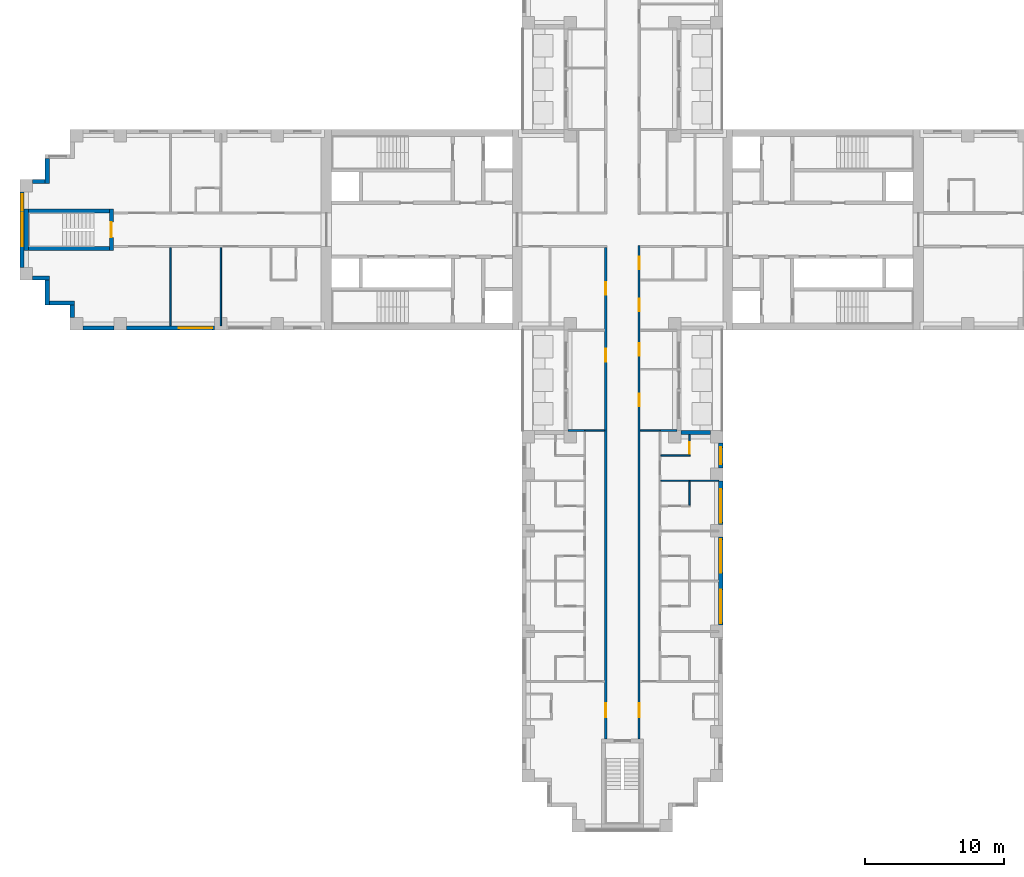
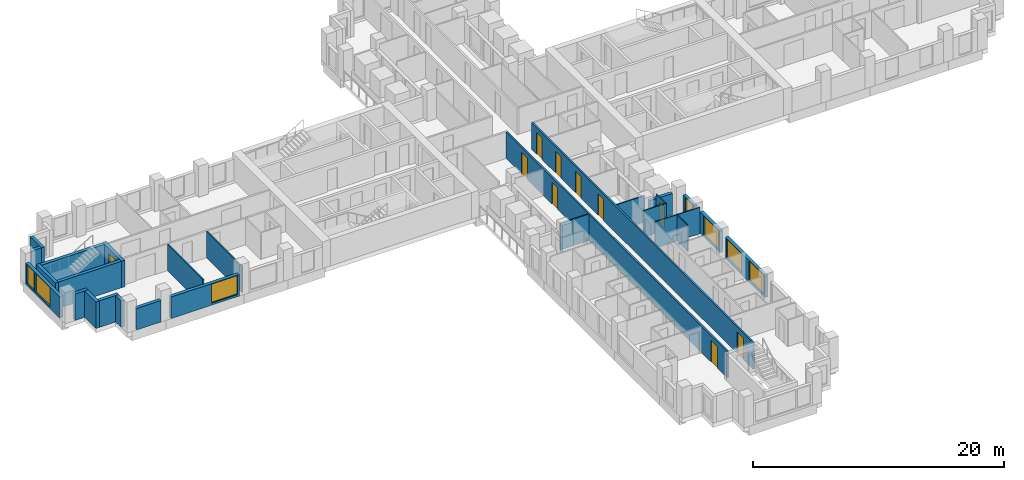
# One storey, part 5 of 14: 29 walls, 10 doors, 7 windows, 17 openings.
"""IFC4 building model written with IfcOpenShell, lengths in metres."""

from ifc_helpers import new_model, si_unit, direction, frame, frame_2d, origin, place, context, subcontext, project, spatial, rectangle, extrude, material, layer, layer_set, type_object, element, fill, save


model = new_model("IFC4")

# Units and contexts
model_context = context("Model", 3, precision=1e-05, world=origin(), true_north=direction((0.0, 1.0)))
body_context = subcontext(model_context, "Body", "Model", "MODEL_VIEW")
ifc_project = project(units=[si_unit("LENGTHUNIT", "METRE"), si_unit("AREAUNIT", "SQUARE_METRE"), si_unit("VOLUMEUNIT", "CUBIC_METRE"), si_unit("PLANEANGLEUNIT", "RADIAN"), si_unit("MASSUNIT", "GRAM", prefix="KILO")], contexts=[model_context])

# Site, building, storey
site_placement = place(None, origin())
site = spatial("IfcSite", under=ifc_project, at=site_placement, CompositionType="ELEMENT")
building_placement = place(site_placement, origin())
building = spatial("IfcBuilding", under=site, at=building_placement, Name="Fustian Cross Tower", CompositionType="ELEMENT")
storey_placement = place(building_placement, frame((0.0, 0.0, 99.89990234375)))
storey = spatial("IfcBuildingStorey", under=building, at=storey_placement, Name="L31", CompositionType="ELEMENT", Elevation=99.89990234375)

# Wall, openings, doors
ifc_material_1 = material(Name="Plasterboard on steel stud", Category="steel")
ifc_layer_1 = layer(ifc_material_1, 0.14990234375)
ifc_layer_set_1 = layer_set([ifc_layer_1], Name="Plasterboard on steel stud")
wall_type_1 = type_object("IfcWallType", Name="COMPARTMENT WALL 150 EI 60", PredefinedType="PARTITIONING", material=ifc_layer_set_1)
wall_1_placement = place(storey_placement, frame((-1.199951171875, -36.5, 0.0), z_axis=(0.0, 0.0, 1.0), x_axis=(0.0, 1.0, 0.0)))
wall_1 = element("IfcWall", 1, at=wall_1_placement, inside=storey, type_object=wall_type_1, Name="Partition 41", PredefinedType="PARTITIONING", context=body_context, shape_type="SweptSolid", body=[
    extrude(rectangle(XDim=35.22509765625, YDim=0.14990234375, at=frame_2d((17.612548828125, 0.0))), origin(), (0.0, 0.0, 1.0), 2.5751953125),
])
opening_1_placement = place(wall_1_placement, frame((31.85009765625, 0.0, 0.0)))
opening_1 = element("IfcOpeningElement", 2, at=opening_1_placement, cuts=wall_1, Name="Opening D14009", PredefinedType="OPENING", context=body_context, shape_type="SweptSolid", body=[
    extrude(rectangle(XDim=0.89990234375, YDim=2.10009765625, at=frame_2d((0.449951171875, 1.050048828125))), frame((0.0, 0.0849609375, 0.0), z_axis=(0.0, -1.0, 0.0), x_axis=(1.0, 0.0, 0.0)), (0.0, 0.0, 1.0), 0.169921875),
])
opening_2_placement = place(wall_1_placement, frame((27.050048828125, 0.0, 0.0)))
opening_2 = element("IfcOpeningElement", 3, at=opening_2_placement, cuts=wall_1, Name="Opening D14050", PredefinedType="OPENING", context=body_context, shape_type="SweptSolid", body=[
    extrude(rectangle(XDim=0.89990234375, YDim=2.10009765625, at=frame_2d((0.449951171875, 1.050048828125))), frame((0.0, 0.0849609375, 0.0), z_axis=(0.0, -1.0, 0.0), x_axis=(1.0, 0.0, 0.0)), (0.0, 0.0, 1.0), 0.169921875),
])
opening_3_placement = place(wall_1_placement, frame((1.550048828125, 0.0, 0.0)))
opening_3 = element("IfcOpeningElement", 4, at=opening_3_placement, cuts=wall_1, Name="Opening D14052", PredefinedType="OPENING", context=body_context, shape_type="SweptSolid", body=[
    extrude(rectangle(XDim=1.0, YDim=2.10009765625, at=frame_2d((0.5, 1.050048828125))), frame((0.0, 0.0849609375, 0.0), z_axis=(0.0, -1.0, 0.0), x_axis=(1.0, 0.0, 0.0)), (0.0, 0.0, 1.0), 0.169921875),
])
ifc_material_2 = material(Name="Timber fire door set", Category="wood")
door_type_1 = type_object("IfcDoorType", Name="FIRE SWING DOOR 1000 FD30S", OperationType="SINGLE_SWING_LEFT", PredefinedType="DOOR", material=ifc_material_2)
door_1_placement = place(opening_3_placement, origin())
door_1 = element("IfcDoor", 5, at=door_1_placement, inside=storey, type_object=door_type_1, Name="Door D14052", OperationType="SINGLE_SWING_RIGHT", OverallHeight=2.10009765625, OverallWidth=1.0, PredefinedType="DOOR", context=body_context, shape_type="SweptSolid", body=[
    extrude(rectangle(XDim=1.0, YDim=2.10009765625, at=frame_2d((0.5, 1.050048828125))), frame((0.0, 0.02490234375, 0.0), z_axis=(0.0, -1.0, 0.0), x_axis=(1.0, 0.0, 0.0)), (0.0, 0.0, 1.0), 0.050048828125),
])
fill(opening_3, door_1)
ifc_material_3 = material(Name="Timber fire door set", Category="wood")
door_type_2 = type_object("IfcDoorType", Name="FIRE SWING DOOR 900 FD30S", OperationType="SINGLE_SWING_LEFT", PredefinedType="DOOR", material=ifc_material_3)
door_2_placement = place(opening_1_placement, origin())
door_2 = element("IfcDoor", 6, at=door_2_placement, inside=storey, type_object=door_type_2, Name="Door D14009", OperationType="SINGLE_SWING_LEFT", OverallHeight=2.10009765625, OverallWidth=0.89990234375, PredefinedType="DOOR", context=body_context, shape_type="SweptSolid", body=[
    extrude(rectangle(XDim=0.89990234375, YDim=2.10009765625, at=frame_2d((0.449951171875, 1.050048828125))), frame((0.0, 0.02490234375, 0.0), z_axis=(0.0, -1.0, 0.0), x_axis=(1.0, 0.0, 0.0)), (0.0, 0.0, 1.0), 0.050048828125),
])
fill(opening_1, door_2)
door_3_placement = place(opening_2_placement, origin())
door_3 = element("IfcDoor", 7, at=door_3_placement, inside=storey, type_object=door_type_2, Name="Door D14050", OperationType="SINGLE_SWING_RIGHT", OverallHeight=2.10009765625, OverallWidth=0.89990234375, PredefinedType="DOOR", context=body_context, shape_type="SweptSolid", body=[
    extrude(rectangle(XDim=0.89990234375, YDim=2.10009765625, at=frame_2d((0.449951171875, 1.050048828125))), frame((0.0, 0.02490234375, 0.0), z_axis=(0.0, -1.0, 0.0), x_axis=(1.0, 0.0, 0.0)), (0.0, 0.0, 1.0), 0.050048828125),
])
fill(opening_2, door_3)

wall_2_placement = place(storey_placement, frame((1.199951171875, -36.5, 0.0), z_axis=(0.0, 0.0, 1.0), x_axis=(0.0, 1.0, 0.0)))
wall_2 = element("IfcWall", 8, at=wall_2_placement, inside=storey, type_object=wall_type_1, Name="Partition 43", PredefinedType="PARTITIONING", context=body_context, shape_type="SweptSolid", body=[
    extrude(rectangle(XDim=35.375, YDim=0.14990234375, at=frame_2d((17.6875, 0.0))), origin(), (0.0, 0.0, 1.0), 2.5751953125),
])
opening_4_placement = place(wall_2_placement, frame((33.64990234375, 0.0, 0.0)))
opening_4 = element("IfcOpeningElement", 9, at=opening_4_placement, cuts=wall_2, Name="Opening D14006", PredefinedType="OPENING", context=body_context, shape_type="SweptSolid", body=[
    extrude(rectangle(XDim=0.89990234375, YDim=2.10009765625, at=frame_2d((0.449951171875, 1.050048828125))), frame((0.0, 0.0849609375, 0.0), z_axis=(0.0, -1.0, 0.0), x_axis=(1.0, 0.0, 0.0)), (0.0, 0.0, 1.0), 0.169921875),
])
opening_5_placement = place(wall_2_placement, frame((30.64990234375, 0.0, 0.0)))
opening_5 = element("IfcOpeningElement", 10, at=opening_5_placement, cuts=wall_2, Name="Opening D14008", PredefinedType="OPENING", context=body_context, shape_type="SweptSolid", body=[
    extrude(rectangle(XDim=0.89990234375, YDim=2.10009765625, at=frame_2d((0.449951171875, 1.050048828125))), frame((0.0, 0.0849609375, 0.0), z_axis=(0.0, -1.0, 0.0), x_axis=(1.0, 0.0, 0.0)), (0.0, 0.0, 1.0), 0.169921875),
])
opening_6_placement = place(wall_2_placement, frame((27.449951171875, 0.0, 0.0)))
opening_6 = element("IfcOpeningElement", 11, at=opening_6_placement, cuts=wall_2, Name="Opening D14035", PredefinedType="OPENING", context=body_context, shape_type="SweptSolid", body=[
    extrude(rectangle(XDim=0.89990234375, YDim=2.10009765625, at=frame_2d((0.449951171875, 1.050048828125))), frame((0.0, 0.0849609375, 0.0), z_axis=(0.0, -1.0, 0.0), x_axis=(1.0, 0.0, 0.0)), (0.0, 0.0, 1.0), 0.169921875),
])
opening_7_placement = place(wall_2_placement, frame((23.85009765625, 0.0, 0.0)))
opening_7 = element("IfcOpeningElement", 12, at=opening_7_placement, cuts=wall_2, Name="Opening D14036", PredefinedType="OPENING", context=body_context, shape_type="SweptSolid", body=[
    extrude(rectangle(XDim=0.89990234375, YDim=2.10009765625, at=frame_2d((0.449951171875, 1.050048828125))), frame((0.0, 0.0849609375, 0.0), z_axis=(0.0, -1.0, 0.0), x_axis=(1.0, 0.0, 0.0)), (0.0, 0.0, 1.0), 0.169921875),
])
opening_8_placement = place(wall_2_placement, frame((1.550048828125, 0.0, 0.0)))
opening_8 = element("IfcOpeningElement", 13, at=opening_8_placement, cuts=wall_2, Name="Opening D14038", PredefinedType="OPENING", context=body_context, shape_type="SweptSolid", body=[
    extrude(rectangle(XDim=1.0, YDim=2.10009765625, at=frame_2d((0.5, 1.050048828125))), frame((0.0, 0.0849609375, 0.0), z_axis=(0.0, -1.0, 0.0), x_axis=(1.0, 0.0, 0.0)), (0.0, 0.0, 1.0), 0.169921875),
])
door_4_placement = place(opening_8_placement, frame((1.0, 0.0, 0.0), z_axis=(0.0, 0.0, 1.0), x_axis=(-1.0, 0.0, 0.0)))
door_4 = element("IfcDoor", 14, at=door_4_placement, inside=storey, type_object=door_type_1, Name="Door D14038", OperationType="SINGLE_SWING_LEFT", OverallHeight=2.10009765625, OverallWidth=1.0, PredefinedType="DOOR", context=body_context, shape_type="SweptSolid", body=[
    extrude(rectangle(XDim=1.0, YDim=2.10009765625, at=frame_2d((0.5, 1.050048828125))), frame((0.0, 0.02490234375, 0.0), z_axis=(0.0, -1.0, 0.0), x_axis=(1.0, 0.0, 0.0)), (0.0, 0.0, 1.0), 0.050048828125),
])
fill(opening_8, door_4)
door_5_placement = place(opening_4_placement, frame((0.89990234375, 0.0, 0.0), z_axis=(0.0, 0.0, 1.0), x_axis=(-1.0, 0.0, 0.0)))
door_5 = element("IfcDoor", 15, at=door_5_placement, inside=storey, type_object=door_type_2, Name="Door D14006", OperationType="SINGLE_SWING_RIGHT", OverallHeight=2.10009765625, OverallWidth=0.89990234375, PredefinedType="DOOR", context=body_context, shape_type="SweptSolid", body=[
    extrude(rectangle(XDim=0.89990234375, YDim=2.10009765625, at=frame_2d((0.449951171875, 1.050048828125))), frame((0.0, 0.02490234375, 0.0), z_axis=(0.0, -1.0, 0.0), x_axis=(1.0, 0.0, 0.0)), (0.0, 0.0, 1.0), 0.050048828125),
])
fill(opening_4, door_5)
door_6_placement = place(opening_5_placement, frame((0.89990234375, 0.0, 0.0), z_axis=(0.0, 0.0, 1.0), x_axis=(-1.0, 0.0, 0.0)))
door_6 = element("IfcDoor", 16, at=door_6_placement, inside=storey, type_object=door_type_2, Name="Door D14008", OperationType="SINGLE_SWING_RIGHT", OverallHeight=2.10009765625, OverallWidth=0.89990234375, PredefinedType="DOOR", context=body_context, shape_type="SweptSolid", body=[
    extrude(rectangle(XDim=0.89990234375, YDim=2.10009765625, at=frame_2d((0.449951171875, 1.050048828125))), frame((0.0, 0.02490234375, 0.0), z_axis=(0.0, -1.0, 0.0), x_axis=(1.0, 0.0, 0.0)), (0.0, 0.0, 1.0), 0.050048828125),
])
fill(opening_5, door_6)
door_7_placement = place(opening_6_placement, frame((0.89990234375, 0.0, 0.0), z_axis=(0.0, 0.0, 1.0), x_axis=(-1.0, 0.0, 0.0)))
door_7 = element("IfcDoor", 17, at=door_7_placement, inside=storey, type_object=door_type_2, Name="Door D14035", OperationType="SINGLE_SWING_RIGHT", OverallHeight=2.10009765625, OverallWidth=0.89990234375, PredefinedType="DOOR", context=body_context, shape_type="SweptSolid", body=[
    extrude(rectangle(XDim=0.89990234375, YDim=2.10009765625, at=frame_2d((0.449951171875, 1.050048828125))), frame((0.0, 0.02490234375, 0.0), z_axis=(0.0, -1.0, 0.0), x_axis=(1.0, 0.0, 0.0)), (0.0, 0.0, 1.0), 0.050048828125),
])
fill(opening_6, door_7)
door_8_placement = place(opening_7_placement, frame((0.89990234375, 0.0, 0.0), z_axis=(0.0, 0.0, 1.0), x_axis=(-1.0, 0.0, 0.0)))
door_8 = element("IfcDoor", 18, at=door_8_placement, inside=storey, type_object=door_type_2, Name="Door D14036", OperationType="SINGLE_SWING_RIGHT", OverallHeight=2.10009765625, OverallWidth=0.89990234375, PredefinedType="DOOR", context=body_context, shape_type="SweptSolid", body=[
    extrude(rectangle(XDim=0.89990234375, YDim=2.10009765625, at=frame_2d((0.449951171875, 1.050048828125))), frame((0.0, 0.02490234375, 0.0), z_axis=(0.0, -1.0, 0.0), x_axis=(1.0, 0.0, 0.0)), (0.0, 0.0, 1.0), 0.050048828125),
])
fill(opening_7, door_8)

# Walls
ifc_material_4 = material(Name="Plasterboard on steel stud", Category="steel")
ifc_layer_2 = layer(ifc_material_4, 0.10009765625)
ifc_layer_set_2 = layer_set([ifc_layer_2], Name="Plasterboard on steel stud")
wall_type_2 = type_object("IfcWallType", Name="PARTITION 100 STUD", PredefinedType="PARTITIONING", material=ifc_layer_set_2)
for number, where, z_axis, x_axis, name in (
    (19, (-32.39990234375, -6.89990234375, 0.0), (0.0, 0.0, 1.0), (0.0, 1.0, 0.0), "Partition 3"),
    (20, (-28.800048828125, -6.89990234375, 0.0), (0.0, 0.0, 1.0), (0.0, 1.0, 0.0), "Partition 7"),
):
    element("IfcWall", number, at=place(storey_placement, frame(where, z_axis=z_axis, x_axis=x_axis)), inside=storey, type_object=wall_type_2, Name=name, PredefinedType="PARTITIONING", context=body_context, shape_type="SweptSolid", body=[
        extrude(rectangle(XDim=5.625, YDim=0.10009765625, at=frame_2d((2.8125, 0.0))), origin(), (0.0, 0.0, 1.0), 2.5751953125),
    ])
for number, where, z_axis, x_axis, name in (
    (21, (-2.699951171875, -14.39990234375, 0.0), (0.0, 0.0, 1.0), (1.0, 0.0, 0.0), "Partition 40"),
    (22, (1.27490234375, -14.39990234375, 0.0), (0.0, 0.0, 1.0), (1.0, 0.0, 0.0), "Partition 45"),
):
    element("IfcWall", number, at=place(storey_placement, frame(where, z_axis=z_axis, x_axis=x_axis)), inside=storey, type_object=wall_type_2, Name=name, PredefinedType="PARTITIONING", context=body_context, shape_type="SweptSolid", body=[
        extrude(rectangle(XDim=1.425048828125, YDim=0.10009765625, at=frame_2d((0.71240234375, 0.0))), origin(), (0.0, 0.0, 1.0), 2.5751953125),
    ])
wall_3_placement = place(storey_placement, frame((2.75, -18.0, 0.0), z_axis=(0.0, 0.0, 1.0), x_axis=(1.0, 0.0, 0.0)))
element("IfcWall", 23, at=wall_3_placement, inside=storey, type_object=wall_type_2, Name="Partition 64", PredefinedType="PARTITIONING", context=body_context, shape_type="SweptSolid", body=[
    extrude(rectangle(XDim=4.14990234375, YDim=0.10009765625, at=frame_2d((2.074951171875, 0.0))), origin(), (0.0, 0.0, 1.0), 2.5751953125),
])
wall_4_placement = place(storey_placement, frame((2.75, -16.199951171875, 0.0), z_axis=(0.0, 0.0, 1.0), x_axis=(1.0, 0.0, 0.0)))
element("IfcWall", 24, at=wall_4_placement, inside=storey, type_object=wall_type_2, Name="Partition 65", PredefinedType="PARTITIONING", context=body_context, shape_type="SweptSolid", body=[
    extrude(rectangle(XDim=2.10009765625, YDim=0.10009765625, at=frame_2d((1.050048828125, 0.0))), origin(), (0.0, 0.0, 1.0), 2.5751953125),
])
wall_5_placement = place(storey_placement, frame((4.800048828125, -19.75, 0.0), z_axis=(0.0, 0.0, 1.0), x_axis=(0.0, 1.0, 0.0)))
element("IfcWall", 25, at=wall_5_placement, inside=storey, type_object=wall_type_2, Name="Partition 71", PredefinedType="PARTITIONING", context=body_context, shape_type="SweptSolid", body=[
    extrude(rectangle(XDim=1.699951171875, YDim=0.10009765625, at=frame_2d((0.85009765625, 0.0))), origin(), (0.0, 0.0, 1.0), 2.5751953125),
])

# Wall, opening, door
wall_6_placement = place(storey_placement, frame((4.800048828125, -16.14990234375, 0.0), z_axis=(0.0, 0.0, 1.0), x_axis=(0.0, 1.0, 0.0)))
wall_6 = element("IfcWall", 26, at=wall_6_placement, inside=storey, type_object=wall_type_2, Name="Partition 72", PredefinedType="PARTITIONING", context=body_context, shape_type="SweptSolid", body=[
    extrude(rectangle(XDim=1.449951171875, YDim=0.10009765625, at=frame_2d((0.72509765625, 0.0))), origin(), (0.0, 0.0, 1.0), 2.5751953125),
])
opening_9_placement = place(wall_6_placement, frame((0.10009765625, 0.0, 0.0)))
opening_9 = element("IfcOpeningElement", 27, at=opening_9_placement, cuts=wall_6, Name="Opening D14045", PredefinedType="OPENING", context=body_context, shape_type="SweptSolid", body=[
    extrude(rectangle(XDim=0.800048828125, YDim=2.10009765625, at=frame_2d((0.39990234375, 1.050048828125))), frame((0.0, 0.06005859375, 0.0), z_axis=(0.0, -1.0, 0.0), x_axis=(1.0, 0.0, 0.0)), (0.0, 0.0, 1.0), 0.1201171875),
])
ifc_material_5 = material(Name="Painted timber", Category="wood")
door_type_3 = type_object("IfcDoorType", Name="SWING DOOR 800", OperationType="SINGLE_SWING_LEFT", PredefinedType="DOOR", material=ifc_material_5)
door_9_placement = place(opening_9_placement, frame((0.800048828125, 0.0, 0.0), z_axis=(0.0, 0.0, 1.0), x_axis=(-1.0, 0.0, 0.0)))
door_9 = element("IfcDoor", 28, at=door_9_placement, inside=storey, type_object=door_type_3, Name="Door D14045", OperationType="SINGLE_SWING_LEFT", OverallHeight=2.10009765625, OverallWidth=0.800048828125, PredefinedType="DOOR", context=body_context, shape_type="SweptSolid", body=[
    extrude(rectangle(XDim=0.800048828125, YDim=2.10009765625, at=frame_2d((0.39990234375, 1.050048828125))), frame((0.0, 0.02490234375, 0.0), z_axis=(0.0, -1.0, 0.0), x_axis=(1.0, 0.0, 0.0)), (0.0, 0.0, 1.0), 0.050048828125),
])
fill(opening_9, door_9)

ifc_material_6 = material(Name="Concrete C50/60", Category="concrete")
ifc_layer_3 = layer(ifc_material_6, 0.300048828125)
ifc_layer_set_3 = layer_set([ifc_layer_3], Name="Concrete C50/60")
wall_type_3 = type_object("IfcWallType", Name="STAIR ENCLOSURE WALL 300 C50/60", PredefinedType="SHEAR", material=ifc_layer_set_3)
wall_7_placement = place(storey_placement, frame((-36.64990234375, -1.5, 0.0), z_axis=(0.0, 0.0, 1.0), x_axis=(0.0, 1.0, 0.0)))
wall_7 = element("IfcWall", 29, at=wall_7_placement, inside=storey, type_object=wall_type_3, Name="Stair enclosure wall", PredefinedType="SHEAR", context=body_context, shape_type="SweptSolid", body=[
    extrude(rectangle(XDim=3.0, YDim=0.300048828125, at=frame_2d((1.5, 0.0))), origin(), (0.0, 0.0, 1.0), 2.5751953125),
])
opening_10_placement = place(wall_7_placement, frame((0.949951171875, 0.0, 0.0)))
opening_10 = element("IfcOpeningElement", 30, at=opening_10_placement, cuts=wall_7, Name="Opening CD-09-31", PredefinedType="OPENING", context=body_context, shape_type="SweptSolid", body=[
    extrude(rectangle(XDim=1.10009765625, YDim=2.10009765625, at=frame_2d((0.550048828125, 1.050048828125))), frame((0.0, 0.159912109375, 0.0), z_axis=(0.0, -1.0, 0.0), x_axis=(1.0, 0.0, 0.0)), (0.0, 0.0, 1.0), 0.320068359375),
])
ifc_material_7 = material(Name="Steel", Category="steel")
door_type_4 = type_object("IfcDoorType", Name="FIRE DOOR FD60S 1100X2100", OperationType="SINGLE_SWING_LEFT", PredefinedType="DOOR", material=ifc_material_7)
door_10_placement = place(opening_10_placement, origin())
door_10 = element("IfcDoor", 31, at=door_10_placement, inside=storey, type_object=door_type_4, Name="Core door CD-09-31", OperationType="SINGLE_SWING_LEFT", OverallHeight=2.10009765625, OverallWidth=1.10009765625, PredefinedType="DOOR", context=body_context, shape_type="SweptSolid", body=[
    extrude(rectangle(XDim=1.10009765625, YDim=2.10009765625, at=frame_2d((0.550048828125, 1.050048828125))), frame((0.0, 0.02490234375, 0.0), z_axis=(0.0, -1.0, 0.0), x_axis=(1.0, 0.0, 0.0)), (0.0, 0.0, 1.0), 0.050048828125),
])
fill(opening_10, door_10)

# Walls
wall_8_placement = place(storey_placement, frame((-42.75, -1.5, 0.0), z_axis=(0.0, 0.0, 1.0), x_axis=(0.0, 1.0, 0.0)))
element("IfcWall", 32, at=wall_8_placement, inside=storey, type_object=wall_type_3, Name="Stair enclosure wall", PredefinedType="SHEAR", context=body_context, shape_type="SweptSolid", body=[
    extrude(rectangle(XDim=3.0, YDim=0.300048828125, at=frame_2d((1.5, 0.0))), origin(), (0.0, 0.0, 1.0), 2.5751953125),
])
for number, where, z_axis, x_axis, name in (
    (33, (-36.800048828125, -1.35009765625, 0.0), (0.0, 0.0, 1.0), (-1.0, 0.0, 0.0), "Stair enclosure wall"),
    (34, (-36.800048828125, 1.35009765625, 0.0), (0.0, 0.0, 1.0), (-1.0, 0.0, 0.0), "Stair enclosure wall"),
):
    element("IfcWall", number, at=place(storey_placement, frame(where, z_axis=z_axis, x_axis=x_axis)), inside=storey, type_object=wall_type_3, Name=name, PredefinedType="SHEAR", context=body_context, shape_type="SweptSolid", body=[
        extrude(rectangle(XDim=5.800048828125, YDim=0.300048828125, at=frame_2d((2.89990234375, 0.0))), origin(), (0.0, 0.0, 1.0), 2.5751953125),
    ])
ifc_material_8 = material(Name="Plasterboard on steel stud", Category="steel")
ifc_layer_4 = layer(ifc_material_8, 0.125)
ifc_layer_set_4 = layer_set([ifc_layer_4], Name="Plasterboard on steel stud")
wall_type_4 = type_object("IfcWallType", Name="WET WALL 125 STUD", PredefinedType="PARTITIONING", material=ifc_layer_set_4)
for number, where, z_axis, x_axis, name in (
    (35, (-3.89990234375, -14.39990234375, 0.0), (0.0, 0.0, 1.0), (1.0, 0.0, 0.0), "Partition 33"),
    (36, (2.699951171875, -14.39990234375, 0.0), (0.0, 0.0, 1.0), (1.0, 0.0, 0.0), "Partition 66"),
):
    element("IfcWall", number, at=place(storey_placement, frame(where, z_axis=z_axis, x_axis=x_axis)), inside=storey, type_object=wall_type_4, Name=name, PredefinedType="PARTITIONING", context=body_context, shape_type="SweptSolid", body=[
        extrude(rectangle(XDim=1.199951171875, YDim=0.125, at=frame_2d((0.60009765625, 0.0))), origin(), (0.0, 0.0, 1.0), 2.5751953125),
    ])
ifc_material_9 = material(Name="Dark aluminium cladding on insulated backing wall", Category="aluminium")
ifc_layer_5 = layer(ifc_material_9, 0.300048828125)
ifc_layer_set_5 = layer_set([ifc_layer_5], Name="Dark aluminium cladding on insulated backing wall")
wall_type_5 = type_object("IfcWallType", Name="XW1 EXTERNAL WALL 300", PredefinedType="SOLIDWALL", material=ifc_layer_set_5)
wall_9_placement = place(storey_placement, frame((-41.25, 5.10009765625, 0.0), z_axis=(0.0, 0.0, 1.0), x_axis=(0.0, -1.0, 0.0)))
element("IfcWall", 37, at=wall_9_placement, inside=storey, type_object=wall_type_5, Name="External wall", PredefinedType="SOLIDWALL", context=body_context, shape_type="SweptSolid", body=[
    extrude(rectangle(XDim=1.800048828125, YDim=0.300048828125, at=frame_2d((0.89990234375, 0.0))), origin(), (0.0, 0.0, 1.0), 2.5751953125),
])
wall_10_placement = place(storey_placement, frame((-41.39990234375, 3.449951171875, 0.0), z_axis=(0.0, 0.0, 1.0), x_axis=(-1.0, 0.0, 0.0)))
element("IfcWall", 38, at=wall_10_placement, inside=storey, type_object=wall_type_5, Name="External wall", PredefinedType="SOLIDWALL", context=body_context, shape_type="SweptSolid", body=[
    extrude(rectangle(XDim=0.900146484375, YDim=0.300048828125, at=frame_2d((0.4501953125, 0.0))), origin(), (0.0, 0.0, 1.0), 2.5751953125),
])

# Wall, openings, windows
wall_11_placement = place(storey_placement, frame((-43.050048828125, 2.699951171875, 0.0), z_axis=(0.0, 0.0, 1.0), x_axis=(0.0, -1.0, 0.0)))
wall_11 = element("IfcWall", 39, at=wall_11_placement, inside=storey, type_object=wall_type_5, Name="External wall", PredefinedType="SOLIDWALL", context=body_context, shape_type="SweptSolid", body=[
    extrude(rectangle(XDim=5.39990234375, YDim=0.300048828125, at=frame_2d((2.699951171875, 0.0))), origin(), (0.0, 0.0, 1.0), 2.10009765625),
])
opening_11_placement = place(wall_11_placement, frame((1.5, 0.0, 0.199951171875)))
opening_11 = element("IfcOpeningElement", 40, at=opening_11_placement, cuts=wall_11, Name="Opening WN1", PredefinedType="OPENING", context=body_context, shape_type="SweptSolid", body=[
    extrude(rectangle(XDim=2.39990234375, YDim=1.85009765625, at=frame_2d((1.199951171875, 0.925048828125))), frame((0.0, 0.159912109375, 0.0), z_axis=(0.0, -1.0, 0.0), x_axis=(1.0, 0.0, 0.0)), (0.0, 0.0, 1.0), 0.320068359375),
])
opening_12_placement = place(wall_11_placement, frame((0.14990234375, 0.0, 0.199951171875)))
opening_12 = element("IfcOpeningElement", 41, at=opening_12_placement, cuts=wall_11, Name="Opening WN3", PredefinedType="OPENING", context=body_context, shape_type="SweptSolid", body=[
    extrude(rectangle(XDim=1.199951171875, YDim=1.85009765625, at=frame_2d((0.60009765625, 0.925048828125))), frame((0.0, 0.159912109375, 0.0), z_axis=(0.0, -1.0, 0.0), x_axis=(1.0, 0.0, 0.0)), (0.0, 0.0, 1.0), 0.320068359375),
])
ifc_material_10 = material(Name="Dark anodised aluminium and double glazing", Category="aluminium")
window_type_1 = type_object("IfcWindowType", Name="WN1 WINDOW 2400X1850", PartitioningType="SINGLE_PANEL", PredefinedType="WINDOW", material=ifc_material_10)
window_1_placement = place(opening_11_placement, origin())
window_1 = element("IfcWindow", 42, at=window_1_placement, inside=storey, type_object=window_type_1, Name="Window", OverallHeight=1.85009765625, OverallWidth=2.39990234375, PartitioningType="SINGLE_PANEL", PredefinedType="WINDOW", context=body_context, shape_type="SweptSolid", body=[
    extrude(rectangle(XDim=2.39990234375, YDim=1.85009765625, at=frame_2d((1.199951171875, 0.925048828125))), frame((0.0, 0.030029296875, 0.0), z_axis=(0.0, -1.0, 0.0), x_axis=(1.0, 0.0, 0.0)), (0.0, 0.0, 1.0), 0.06005859375),
])
fill(opening_11, window_1)
ifc_material_11 = material(Name="Dark anodised aluminium and double glazing", Category="aluminium")
window_type_2 = type_object("IfcWindowType", Name="WN3 WINDOW 1200X1850", PartitioningType="SINGLE_PANEL", PredefinedType="WINDOW", material=ifc_material_11)
window_2_placement = place(opening_12_placement, origin())
window_2 = element("IfcWindow", 43, at=window_2_placement, inside=storey, type_object=window_type_2, Name="Window", OverallHeight=1.85009765625, OverallWidth=1.199951171875, PartitioningType="SINGLE_PANEL", PredefinedType="WINDOW", context=body_context, shape_type="SweptSolid", body=[
    extrude(rectangle(XDim=1.199951171875, YDim=1.85009765625, at=frame_2d((0.60009765625, 0.925048828125))), frame((0.0, 0.030029296875, 0.0), z_axis=(0.0, -1.0, 0.0), x_axis=(1.0, 0.0, 0.0)), (0.0, 0.0, 1.0), 0.06005859375),
])
fill(opening_12, window_2)

# Walls
wall_12_placement = place(storey_placement, frame((-42.300048828125, -3.449951171875, 0.0), z_axis=(0.0, 0.0, 1.0), x_axis=(1.0, 0.0, 0.0)))
element("IfcWall", 44, at=wall_12_placement, inside=storey, type_object=wall_type_5, Name="External wall", PredefinedType="SOLIDWALL", context=body_context, shape_type="SweptSolid", body=[
    extrude(rectangle(XDim=1.199951171875, YDim=0.300048828125, at=frame_2d((0.60009765625, 0.0))), origin(), (0.0, 0.0, 1.0), 2.5751953125),
])
wall_13_placement = place(storey_placement, frame((-41.25, -3.60009765625, 0.0), z_axis=(0.0, 0.0, 1.0), x_axis=(0.0, -1.0, 0.0)))
element("IfcWall", 45, at=wall_13_placement, inside=storey, type_object=wall_type_5, Name="External wall", PredefinedType="SOLIDWALL", context=body_context, shape_type="SweptSolid", body=[
    extrude(rectangle(XDim=1.7998046875, YDim=0.300048828125, at=frame_2d((0.89990234375, 0.0))), origin(), (0.0, 0.0, 1.0), 2.5751953125),
])
wall_14_placement = place(storey_placement, frame((-41.10009765625, -5.25, 0.0), z_axis=(0.0, 0.0, 1.0), x_axis=(1.0, 0.0, 0.0)))
element("IfcWall", 46, at=wall_14_placement, inside=storey, type_object=wall_type_5, Name="External wall", PredefinedType="SOLIDWALL", context=body_context, shape_type="SweptSolid", body=[
    extrude(rectangle(XDim=1.800048828125, YDim=0.300048828125, at=frame_2d((0.89990234375, 0.0))), origin(), (0.0, 0.0, 1.0), 2.5751953125),
])
wall_15_placement = place(storey_placement, frame((-39.449951171875, -5.39990234375, 0.0), z_axis=(0.0, 0.0, 1.0), x_axis=(0.0, -1.0, 0.0)))
element("IfcWall", 47, at=wall_15_placement, inside=storey, type_object=wall_type_5, Name="External wall", PredefinedType="SOLIDWALL", context=body_context, shape_type="SweptSolid", body=[
    extrude(rectangle(XDim=0.900146484375, YDim=0.300048828125, at=frame_2d((0.4501953125, 0.0))), origin(), (0.0, 0.0, 1.0), 2.5751953125),
])
wall_16_placement = place(storey_placement, frame((-38.699951171875, -7.050048828125, 0.0), z_axis=(0.0, 0.0, 1.0), x_axis=(1.0, 0.0, 0.0)))
element("IfcWall", 48, at=wall_16_placement, inside=storey, type_object=wall_type_5, Name="External wall", PredefinedType="SOLIDWALL", context=body_context, shape_type="SweptSolid", body=[
    extrude(rectangle(XDim=2.25, YDim=0.300048828125, at=frame_2d((1.125, 0.0))), origin(), (0.0, 0.0, 1.0), 2.10009765625),
])

# Wall, opening, window
wall_17_placement = place(storey_placement, frame((-35.550048828125, -7.050048828125, 0.0), z_axis=(0.0, 0.0, 1.0), x_axis=(1.0, 0.0, 0.0)))
wall_17 = element("IfcWall", 49, at=wall_17_placement, inside=storey, type_object=wall_type_5, Name="External wall", PredefinedType="SOLIDWALL", context=body_context, shape_type="SweptSolid", body=[
    extrude(rectangle(XDim=6.300048828125, YDim=0.300048828125, at=frame_2d((3.14990234375, 0.0))), origin(), (0.0, 0.0, 1.0), 2.10009765625),
])
opening_13_placement = place(wall_17_placement, frame((3.75, 0.0, 0.199951171875)))
opening_13 = element("IfcOpeningElement", 50, at=opening_13_placement, cuts=wall_17, Name="Opening WN1", PredefinedType="OPENING", context=body_context, shape_type="SweptSolid", body=[
    extrude(rectangle(XDim=2.39990234375, YDim=1.85009765625, at=frame_2d((1.199951171875, 0.925048828125))), frame((0.0, 0.159912109375, 0.0), z_axis=(0.0, -1.0, 0.0), x_axis=(1.0, 0.0, 0.0)), (0.0, 0.0, 1.0), 0.320068359375),
])
window_3_placement = place(opening_13_placement, origin())
window_3 = element("IfcWindow", 51, at=window_3_placement, inside=storey, type_object=window_type_1, Name="Window", OverallHeight=1.85009765625, OverallWidth=2.39990234375, PartitioningType="SINGLE_PANEL", PredefinedType="WINDOW", context=body_context, shape_type="SweptSolid", body=[
    extrude(rectangle(XDim=2.39990234375, YDim=1.85009765625, at=frame_2d((1.199951171875, 0.925048828125))), frame((0.0, 0.030029296875, 0.0), z_axis=(0.0, -1.0, 0.0), x_axis=(1.0, 0.0, 0.0)), (0.0, 0.0, 1.0), 0.06005859375),
])
fill(opening_13, window_3)

# Wall, openings, windows
wall_18_placement = place(storey_placement, frame((7.050048828125, -28.35009765625, 0.0), z_axis=(0.0, 0.0, 1.0), x_axis=(0.0, 1.0, 0.0)))
wall_18 = element("IfcWall", 52, at=wall_18_placement, inside=storey, type_object=wall_type_5, Name="External wall", PredefinedType="SOLIDWALL", context=body_context, shape_type="SweptSolid", body=[
    extrude(rectangle(XDim=6.300048828125, YDim=0.300048828125, at=frame_2d((3.14990234375, 0.0))), origin(), (0.0, 0.0, 1.0), 2.10009765625),
])
opening_14_placement = place(wall_18_placement, frame((0.14990234375, 0.0, 0.199951171875)))
opening_14 = element("IfcOpeningElement", 53, at=opening_14_placement, cuts=wall_18, Name="Opening WN1", PredefinedType="OPENING", context=body_context, shape_type="SweptSolid", body=[
    extrude(rectangle(XDim=2.39990234375, YDim=1.85009765625, at=frame_2d((1.199951171875, 0.925048828125))), frame((0.0, 0.159912109375, 0.0), z_axis=(0.0, -1.0, 0.0), x_axis=(1.0, 0.0, 0.0)), (0.0, 0.0, 1.0), 0.320068359375),
])
opening_15_placement = place(wall_18_placement, frame((3.75, 0.0, 0.199951171875)))
opening_15 = element("IfcOpeningElement", 54, at=opening_15_placement, cuts=wall_18, Name="Opening WN1", PredefinedType="OPENING", context=body_context, shape_type="SweptSolid", body=[
    extrude(rectangle(XDim=2.39990234375, YDim=1.85009765625, at=frame_2d((1.199951171875, 0.925048828125))), frame((0.0, 0.159912109375, 0.0), z_axis=(0.0, -1.0, 0.0), x_axis=(1.0, 0.0, 0.0)), (0.0, 0.0, 1.0), 0.320068359375),
])
window_4_placement = place(opening_14_placement, origin())
window_4 = element("IfcWindow", 55, at=window_4_placement, inside=storey, type_object=window_type_1, Name="Window", OverallHeight=1.85009765625, OverallWidth=2.39990234375, PartitioningType="SINGLE_PANEL", PredefinedType="WINDOW", context=body_context, shape_type="SweptSolid", body=[
    extrude(rectangle(XDim=2.39990234375, YDim=1.85009765625, at=frame_2d((1.199951171875, 0.925048828125))), frame((0.0, 0.030029296875, 0.0), z_axis=(0.0, -1.0, 0.0), x_axis=(1.0, 0.0, 0.0)), (0.0, 0.0, 1.0), 0.06005859375),
])
fill(opening_14, window_4)
window_5_placement = place(opening_15_placement, origin())
window_5 = element("IfcWindow", 56, at=window_5_placement, inside=storey, type_object=window_type_1, Name="Window", OverallHeight=1.85009765625, OverallWidth=2.39990234375, PartitioningType="SINGLE_PANEL", PredefinedType="WINDOW", context=body_context, shape_type="SweptSolid", body=[
    extrude(rectangle(XDim=2.39990234375, YDim=1.85009765625, at=frame_2d((1.199951171875, 0.925048828125))), frame((0.0, 0.030029296875, 0.0), z_axis=(0.0, -1.0, 0.0), x_axis=(1.0, 0.0, 0.0)), (0.0, 0.0, 1.0), 0.06005859375),
])
fill(opening_15, window_5)

# Wall, opening, window
wall_19_placement = place(storey_placement, frame((7.050048828125, -21.14990234375, 0.0), z_axis=(0.0, 0.0, 1.0), x_axis=(0.0, 1.0, 0.0)))
wall_19 = element("IfcWall", 57, at=wall_19_placement, inside=storey, type_object=wall_type_5, Name="External wall", PredefinedType="SOLIDWALL", context=body_context, shape_type="SweptSolid", body=[
    extrude(rectangle(XDim=3.14990234375, YDim=0.300048828125, at=frame_2d((1.574951171875, 0.0))), origin(), (0.0, 0.0, 1.0), 2.10009765625),
])
opening_16_placement = place(wall_19_placement, frame((0.14990234375, 0.0, 0.199951171875)))
opening_16 = element("IfcOpeningElement", 58, at=opening_16_placement, cuts=wall_19, Name="Opening WN1", PredefinedType="OPENING", context=body_context, shape_type="SweptSolid", body=[
    extrude(rectangle(XDim=2.39990234375, YDim=1.85009765625, at=frame_2d((1.199951171875, 0.925048828125))), frame((0.0, 0.159912109375, 0.0), z_axis=(0.0, -1.0, 0.0), x_axis=(1.0, 0.0, 0.0)), (0.0, 0.0, 1.0), 0.320068359375),
])
window_6_placement = place(opening_16_placement, origin())
window_6 = element("IfcWindow", 59, at=window_6_placement, inside=storey, type_object=window_type_1, Name="Window", OverallHeight=1.85009765625, OverallWidth=2.39990234375, PartitioningType="SINGLE_PANEL", PredefinedType="WINDOW", context=body_context, shape_type="SweptSolid", body=[
    extrude(rectangle(XDim=2.39990234375, YDim=1.85009765625, at=frame_2d((1.199951171875, 0.925048828125))), frame((0.0, 0.030029296875, 0.0), z_axis=(0.0, -1.0, 0.0), x_axis=(1.0, 0.0, 0.0)), (0.0, 0.0, 1.0), 0.06005859375),
])
fill(opening_16, window_6)

wall_20_placement = place(storey_placement, frame((7.050048828125, -17.10009765625, 0.0), z_axis=(0.0, 0.0, 1.0), x_axis=(0.0, 1.0, 0.0)))
wall_20 = element("IfcWall", 60, at=wall_20_placement, inside=storey, type_object=wall_type_5, Name="External wall", PredefinedType="SOLIDWALL", context=body_context, shape_type="SweptSolid", body=[
    extrude(rectangle(XDim=1.800048828125, YDim=0.300048828125, at=frame_2d((0.89990234375, 0.0))), origin(), (0.0, 0.0, 1.0), 2.10009765625),
])
opening_17_placement = place(wall_20_placement, frame((0.300048828125, 0.0, 0.199951171875)))
opening_17 = element("IfcOpeningElement", 61, at=opening_17_placement, cuts=wall_20, Name="Opening WN3", PredefinedType="OPENING", context=body_context, shape_type="SweptSolid", body=[
    extrude(rectangle(XDim=1.199951171875, YDim=1.85009765625, at=frame_2d((0.60009765625, 0.925048828125))), frame((0.0, 0.159912109375, 0.0), z_axis=(0.0, -1.0, 0.0), x_axis=(1.0, 0.0, 0.0)), (0.0, 0.0, 1.0), 0.320068359375),
])
window_7_placement = place(opening_17_placement, origin())
window_7 = element("IfcWindow", 62, at=window_7_placement, inside=storey, type_object=window_type_2, Name="Window", OverallHeight=1.85009765625, OverallWidth=1.199951171875, PartitioningType="SINGLE_PANEL", PredefinedType="WINDOW", context=body_context, shape_type="SweptSolid", body=[
    extrude(rectangle(XDim=1.199951171875, YDim=1.85009765625, at=frame_2d((0.60009765625, 0.925048828125))), frame((0.0, 0.030029296875, 0.0), z_axis=(0.0, -1.0, 0.0), x_axis=(1.0, 0.0, 0.0)), (0.0, 0.0, 1.0), 0.06005859375),
])
fill(opening_17, window_7)

# Wall
wall_21_placement = place(storey_placement, frame((6.300048828125, -14.550048828125, 0.0), z_axis=(0.0, 0.0, 1.0), x_axis=(-1.0, 0.0, 0.0)))
element("IfcWall", 63, at=wall_21_placement, inside=storey, type_object=wall_type_5, Name="External wall", PredefinedType="SOLIDWALL", context=body_context, shape_type="SweptSolid", body=[
    extrude(rectangle(XDim=2.10009765625, YDim=0.300048828125, at=frame_2d((1.050048828125, 0.0))), origin(), (0.0, 0.0, 1.0), 2.10009765625),
])

save(model, "model.ifc")
